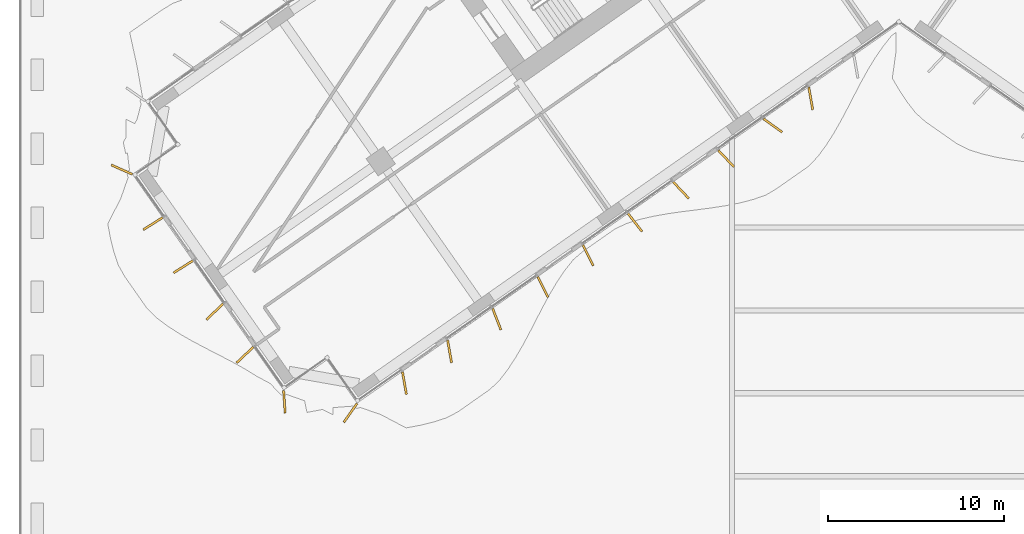
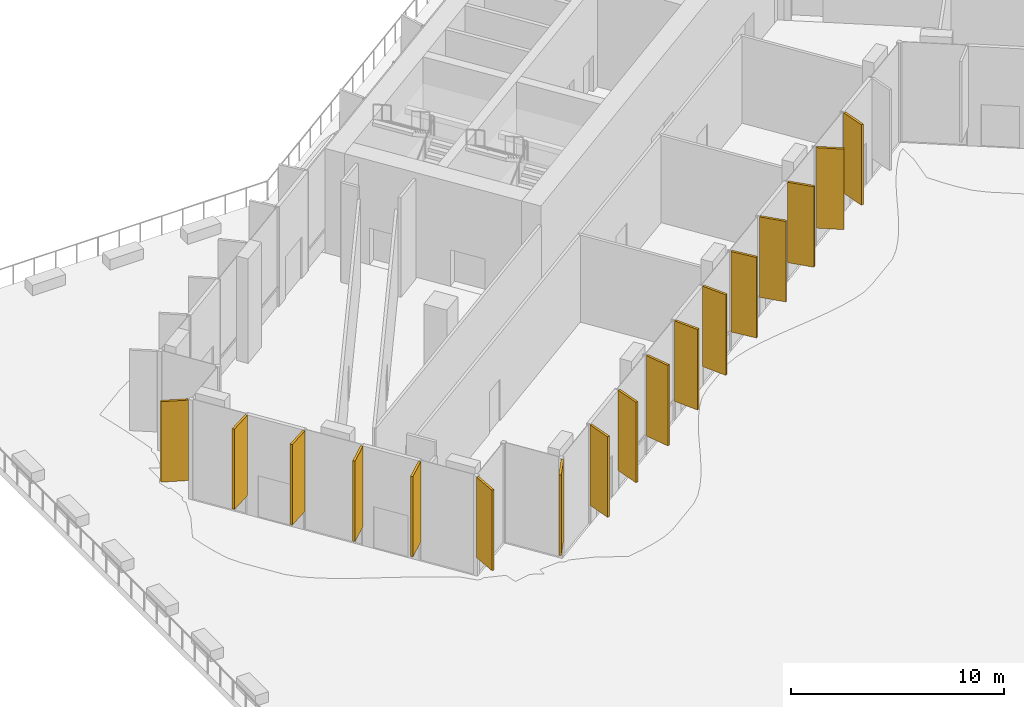
# One storey, part 22 of 27: 17 shading devices.
"""IFC4 building model written with IfcOpenShell, lengths in metres."""

import ifcopenshell
import ifcopenshell.guid

model = None  # the IFC model being written
_history = None  # IfcOwnerHistory: only IFC2X3 demands one
_inside = {}  # id of a spatial element -> (the spatial element, [elements in it])
_under = {}  # id of a project, library or spatial element -> (it, [spatial elements below it])
_declared = {}  # id of a project -> (the project, [libraries it declares])
_typed = {}  # id of a type object -> (the type object, [elements of that type])
_made_of = {}  # id of a material, layer set ... -> (it, [elements and type objects made of it])


def new_model(schema):
    """Start an empty IFC model of exactly this schema.

    Asked for "IFC4X3", IfcOpenShell would pick the latest addendum, in which some entities
    have other attributes; the version numbers below select the first issue.
    IFC2X3 requires an IfcOwnerHistory on every rooted entity: one is made here for all.
    """
    global model, _history
    if schema == "IFC4X3":
        model = ifcopenshell.file(schema_version=(4, 3, 0, 0))
    else:
        model = ifcopenshell.file(schema=schema)
    _inside.clear()
    _under.clear()
    _declared.clear()
    _typed.clear()
    _made_of.clear()
    _history = None
    if model.schema == "IFC2X3":
        org = make("IfcOrganization", Name="unknown")
        user = make(
            "IfcPersonAndOrganization",
            ThePerson=make("IfcPerson", FamilyName="unknown"),
            TheOrganization=org,
        )
        app = make(
            "IfcApplication",
            ApplicationDeveloper=org,
            Version="unknown",
            ApplicationFullName="unknown",
            ApplicationIdentifier="unknown",
        )
        _history = make(
            "IfcOwnerHistory",
            OwningUser=user,
            OwningApplication=app,
            ChangeAction="ADDED",
            CreationDate=0,
        )
    return model


def make(cls, **values):
    """One entity of the class cls with the attributes given. An attribute that is None is left unset."""
    return model.create_entity(
        cls, **{name: value for name, value in values.items() if value is not None}
    )


def rooted(cls, **values):
    """An entity with a GlobalId (a new one), such as an element, a storey or a relation."""
    return make(cls, GlobalId=ifcopenshell.guid.new(), OwnerHistory=_history, **values)


def si_unit(unit_type, name, prefix=None):
    """IfcSIUnit, for example si_unit("LENGTHUNIT", "METRE", prefix="MILLI")."""
    return make("IfcSIUnit", UnitType=unit_type, Prefix=prefix, Name=name)


def assignment(units):
    """IfcUnitAssignment: the units of a project."""
    return None if units is None else make("IfcUnitAssignment", Units=units)


def point(xyz):
    """IfcCartesianPoint."""
    return None if xyz is None else make("IfcCartesianPoint", Coordinates=xyz)


def direction(xyz):
    """IfcDirection."""
    return None if xyz is None else make("IfcDirection", DirectionRatios=xyz)


def frame(location, z_axis=None, x_axis=None):
    """IfcAxis2Placement3D, a coordinate frame: its origin and axes. An axis left out is left unset."""
    return make(
        "IfcAxis2Placement3D",
        Location=point(location),
        Axis=direction(z_axis),
        RefDirection=direction(x_axis),
    )


def frame_2d(location, x_axis=None):
    """IfcAxis2Placement2D, a coordinate frame in the plane: its origin and x axis."""
    return make(
        "IfcAxis2Placement2D", Location=point(location), RefDirection=direction(x_axis)
    )


def origin():
    """The frame at (0, 0, 0) with its axes left unset."""
    return frame((0.0, 0.0, 0.0))


def origin_2d():
    """The frame at (0, 0) in the plane with its x axis left unset."""
    return frame_2d((0.0, 0.0))


def place(relative_to, where):
    """IfcLocalPlacement: puts the frame where relative to a parent placement (None: the world)."""
    return make(
        "IfcLocalPlacement", PlacementRelTo=relative_to, RelativePlacement=where
    )


def context(
    kind, dimensions, precision=None, world=None, true_north=None, identifier=None
):
    """IfcGeometricRepresentationContext, for example the 3D "Model" context."""
    return make(
        "IfcGeometricRepresentationContext",
        ContextIdentifier=identifier,
        ContextType=kind,
        CoordinateSpaceDimension=dimensions,
        Precision=precision,
        WorldCoordinateSystem=world,
        TrueNorth=true_north,
    )


def subcontext(parent, identifier, kind, view, scale=None):
    """IfcGeometricRepresentationSubContext, for example "Body" below "Model"."""
    return make(
        "IfcGeometricRepresentationSubContext",
        ContextIdentifier=identifier,
        ContextType=kind,
        ParentContext=parent,
        TargetScale=scale,
        TargetView=view,
    )


def project(units=None, contexts=None):
    """IfcProject with its units and contexts."""
    return rooted(
        "IfcProject",
        Name="project",
        RepresentationContexts=contexts,
        UnitsInContext=assignment(units),
    )


def spatial(cls, under=None, at=None, **own):
    """A site, building, storey or space (cls), placed at a placement, below another one or the project."""
    s = rooted(cls, ObjectPlacement=at, **own)
    if under is not None:
        _under.setdefault(under.id(), (under, []))[1].append(s)
    return s


def profile(cls, at=None, kind="AREA", **sizes):
    """A parametric profile (cls). Its sizes go by their IFC names, for example OverallWidth=200.0."""
    return make(cls, ProfileType=kind, Position=at, **sizes)


def rectangle(**sizes):
    """IfcRectangleProfileDef."""
    return profile("IfcRectangleProfileDef", **sizes)


def extrude(swept, where, along, depth):
    """IfcExtrudedAreaSolid: the profile swept, set in the frame where, extruded along a direction by depth."""
    return make(
        "IfcExtrudedAreaSolid",
        SweptArea=swept,
        Position=where,
        ExtrudedDirection=direction(along),
        Depth=depth,
    )


def shape(context_of_items, identifier, shape_type, items):
    """IfcShapeRepresentation: the items that make up one representation, for example the "Body"."""
    return make(
        "IfcShapeRepresentation",
        ContextOfItems=context_of_items,
        RepresentationIdentifier=identifier,
        RepresentationType=shape_type,
        Items=items,
    )


def material(Name=None, Category=None):
    """IfcMaterial."""
    return make("IfcMaterial", Name=Name, Category=Category)


def layer(
    of_material, thickness, ventilated=None, Name=None, Category=None, Priority=None
):
    """IfcMaterialLayer: one layer of a wall or slab, of a material (None: an air gap)."""
    return make(
        "IfcMaterialLayer",
        Material=of_material,
        LayerThickness=thickness,
        IsVentilated=ventilated,
        Name=Name,
        Category=Category,
        Priority=Priority,
    )


def layer_set(layers, Name=None):
    """IfcMaterialLayerSet."""
    return make("IfcMaterialLayerSet", MaterialLayers=layers, LayerSetName=Name)


def made_of(thing, what):
    """Note that an element or type object is made of a material, layer set ...; save() writes the relation."""
    if what is not None:
        _made_of.setdefault(what.id(), (what, []))[1].append(thing)
    return thing


def type_object(cls, material=None, **own):
    """A type object (cls), such as IfcWallType, which elements share."""
    return made_of(rooted(cls, **own), material)


def element(
    cls,
    number,
    at=None,
    inside=None,
    cuts=None,
    type_object=None,
    material=None,
    context=None,
    identifier="Body",
    shape_type=None,
    held_by="IfcProductDefinitionShape",
    body=None,
    shapes=None,
    **own,
):
    """One element of the class cls, such as IfcWall. Its Tag is "e" and its number.

    at: its placement. inside: the storey or other place that contains it. cuts: it is an
    opening in that element (IfcRelVoidsElement). A single representation is given by context,
    identifier, shape_type and body (its items); several are given by shapes. held_by: the class
    of the entity that holds the representations. save() writes the other relations.
    """
    e = rooted(cls, Tag="e%d" % number, ObjectPlacement=at, **own)
    if body is not None:
        shapes = [shape(context, identifier, shape_type, body)]
    if shapes is not None:
        e.Representation = make(held_by, Representations=shapes)
    if inside is not None:
        _inside.setdefault(inside.id(), (inside, []))[1].append(e)
    if cuts is not None:
        rooted(
            "IfcRelVoidsElement", RelatingBuildingElement=cuts, RelatedOpeningElement=e
        )
    if type_object is not None:
        _typed.setdefault(type_object.id(), (type_object, []))[1].append(e)
    return made_of(e, material)


def aggregate(whole, parts):
    """IfcRelAggregates: a whole, such as a stair, and the parts it consists of."""
    return rooted("IfcRelAggregates", RelatingObject=whole, RelatedObjects=parts)


def save(model, path):
    """Write the relations noted so far, then the file.

    IfcRelAggregates (storeys below a building ...), IfcRelContainedInSpatialStructure (elements
    in a storey), IfcRelDefinesByType, IfcRelAssociatesMaterial and IfcRelDeclares: one each for
    every whole, place, type object, material and project.
    """
    for whole, parts in _under.values():
        aggregate(whole, parts)
    for where, things in _inside.values():
        rooted(
            "IfcRelContainedInSpatialStructure",
            RelatedElements=things,
            RelatingStructure=where,
        )
    for kind, things in _typed.values():
        rooted("IfcRelDefinesByType", RelatedObjects=things, RelatingType=kind)
    for what, things in _made_of.values():
        rooted("IfcRelAssociatesMaterial", RelatedObjects=things, RelatingMaterial=what)
    for by, libraries in _declared.values():
        rooted("IfcRelDeclares", RelatingContext=by, RelatedDefinitions=libraries)
    model.write(path)


model = new_model("IFC4")

# Units and contexts
model_context = context("Model", 3, precision=1e-05, world=origin(), true_north=direction((0.0, 1.0)))
body_context = subcontext(model_context, "Body", "Model", "MODEL_VIEW")
ifc_project = project(units=[si_unit("LENGTHUNIT", "METRE"), si_unit("AREAUNIT", "SQUARE_METRE"), si_unit("VOLUMEUNIT", "CUBIC_METRE"), si_unit("PLANEANGLEUNIT", "RADIAN"), si_unit("MASSUNIT", "GRAM", prefix="KILO")], contexts=[model_context])

# Site, building, storey
site_placement = place(None, origin())
site = spatial("IfcSite", under=ifc_project, at=site_placement, CompositionType="ELEMENT")
building_placement = place(site_placement, origin())
building = spatial("IfcBuilding", under=site, at=building_placement, Name="Tel Ilan Convention Tower", CompositionType="ELEMENT")
storey_placement = place(building_placement, frame((0.0, 0.0, 48.5)))
storey = spatial("IfcBuildingStorey", under=building, at=storey_placement, Name="L07", CompositionType="ELEMENT", Elevation=48.5)

# Shading devices
ifc_material = material(Name="Aluminium, bronze anodised", Category="aluminium")
ifc_layer = layer(ifc_material, 0.1201171875)
ifc_layer_set = layer_set([ifc_layer], Name="FIN BRONZE 1300x120")
shading_device_type = type_object("IfcShadingDeviceType", Name="FIN BRONZE 1300x120", PredefinedType="USERDEFINED", material=ifc_layer_set)
for number, where, z_axis, x_axis, name in (
    (1, (-28.142333984375, -33.27294921875, 1.099853515625), (0.0, 0.0, 1.0), (0.173648177667, -0.984807753012, 0.0), "FIN"),
    (2, (-25.572265625, -31.4736328125, 1.099853515625), (0.0, 0.0, 1.0), (0.173648177667, -0.984807753012, 0.0), "FIN"),
    (3, (-22.887451171875, -29.63134765625, 1.099853515625), (0.0, 0.0, 1.0), (0.360177724803, -0.932883704733, 0.0), "FIN"),
    (4, (-20.26318359375, -27.8017578125, 1.099853515625), (0.0, 0.0, 1.0), (0.448799180206, -0.893632640321, 0.0), "FIN"),
    (5, (-17.693115234375, -26.002197265625, 1.099853515625), (0.0, 0.0, 1.0), (0.448799180206, -0.893632640321, 0.0), "FIN"),
    (6, (-15.02001953125, -24.130859375, 1.099853515625), (0.0, 0.0, 1.0), (0.612600545196, -0.790392669516, 0.0), "FIN"),
    (7, (-12.39892578125, -22.295166015625, 1.099853515625), (0.0, 0.0, 1.0), (0.686241637865, -0.727373641577, 0.0), "FIN"),
    (8, (-9.8291015625, -20.49560546875, 1.099853515625), (0.0, 0.0, 1.0), (0.686241637865, -0.727373641577, 0.0), "FIN"),
    (9, (-7.169921875, -18.610595703125, 1.099853515625), (0.0, 0.0, 1.0), (0.813552070258, -0.581492071294, 0.0), "FIN"),
    (10, (-5.0126953125, -17.07763671875, 1.099853515625), (0.0, 0.0, 1.0), (0.173648177667, -0.984807753012, 0.0), "FIN"),
    (11, (-44.229248046875, -21.122314453125, 1.099853515625), (0.0, 0.0, 1.0), (-0.914332505315, 0.404964282034, 0.0), "FIN"),
    (12, (-42.4521484375, -24.193359375, 1.099853515625), (0.0, 0.0, 1.0), (-0.845986425922, -0.533204432798, 0.0), "FIN"),
    (13, (-40.7314453125, -26.65087890625, 1.099853515625), (0.0, 0.0, 1.0), (-0.845986425922, -0.533204432798, 0.0), "FIN"),
    (14, (-38.9384765625, -29.211181640625, 1.099853515625), (0.0, 0.0, 1.0), (-0.727373641577, -0.686241637865, 0.0), "FIN"),
    (15, (-37.2177734375, -31.668701171875, 1.099853515625), (0.0, 0.0, 1.0), (-0.727373641577, -0.686241637865, 0.0), "FIN"),
    (16, (-34.975830078125, -34.33740234375, 1.099853515625), (0.0, 0.0, 1.0), (0.067821812994, -0.997697449973, 0.0), "FIN"),
    (17, (-31.21630859375, -34.968994140625, 1.099853515625), (0.0, 0.0, 1.0), (-0.573576436351, -0.819152044289, 0.0), "FIN"),
):
    element("IfcShadingDevice", number, at=place(storey_placement, frame(where, z_axis=z_axis, x_axis=x_axis)), inside=storey, type_object=shading_device_type, Name=name, ObjectType="FIN", PredefinedType="USERDEFINED", context=body_context, shape_type="SweptSolid", body=[
        extrude(rectangle(XDim=1.300048828125, YDim=0.1201171875, at=origin_2d()), origin(), (0.0, 0.0, 1.0), 4.6201171875),
    ])

save(model, "model.ifc")
